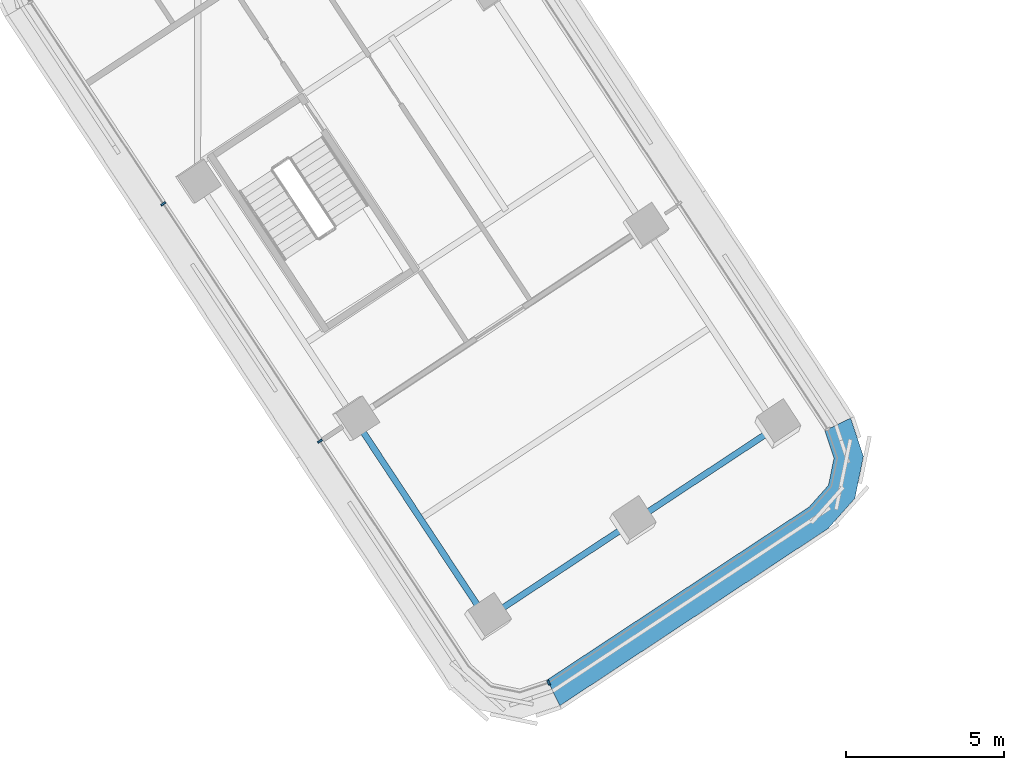
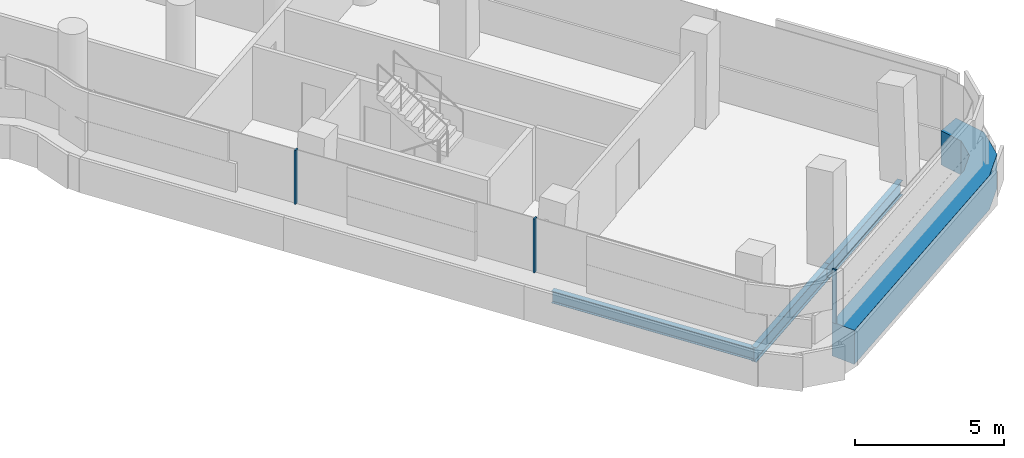
# One storey, part 3 of 35: 4 members, 3 beams, 2 elements without a shape of their own.
"""IFC4 building model written with IfcOpenShell, lengths in metres."""

import ifcopenshell
import ifcopenshell.guid

model = None  # the IFC model being written
_history = None  # IfcOwnerHistory: only IFC2X3 demands one
_inside = {}  # id of a spatial element -> (the spatial element, [elements in it])
_under = {}  # id of a project, library or spatial element -> (it, [spatial elements below it])
_declared = {}  # id of a project -> (the project, [libraries it declares])
_typed = {}  # id of a type object -> (the type object, [elements of that type])
_made_of = {}  # id of a material, layer set ... -> (it, [elements and type objects made of it])


def new_model(schema):
    """Start an empty IFC model of exactly this schema.

    Asked for "IFC4X3", IfcOpenShell would pick the latest addendum, in which some entities
    have other attributes; the version numbers below select the first issue.
    IFC2X3 requires an IfcOwnerHistory on every rooted entity: one is made here for all.
    """
    global model, _history
    if schema == "IFC4X3":
        model = ifcopenshell.file(schema_version=(4, 3, 0, 0))
    else:
        model = ifcopenshell.file(schema=schema)
    _inside.clear()
    _under.clear()
    _declared.clear()
    _typed.clear()
    _made_of.clear()
    _history = None
    if model.schema == "IFC2X3":
        org = make("IfcOrganization", Name="unknown")
        user = make(
            "IfcPersonAndOrganization",
            ThePerson=make("IfcPerson", FamilyName="unknown"),
            TheOrganization=org,
        )
        app = make(
            "IfcApplication",
            ApplicationDeveloper=org,
            Version="unknown",
            ApplicationFullName="unknown",
            ApplicationIdentifier="unknown",
        )
        _history = make(
            "IfcOwnerHistory",
            OwningUser=user,
            OwningApplication=app,
            ChangeAction="ADDED",
            CreationDate=0,
        )
    return model


def make(cls, **values):
    """One entity of the class cls with the attributes given. An attribute that is None is left unset."""
    return model.create_entity(
        cls, **{name: value for name, value in values.items() if value is not None}
    )


def rooted(cls, **values):
    """An entity with a GlobalId (a new one), such as an element, a storey or a relation."""
    return make(cls, GlobalId=ifcopenshell.guid.new(), OwnerHistory=_history, **values)


def si_unit(unit_type, name, prefix=None):
    """IfcSIUnit, for example si_unit("LENGTHUNIT", "METRE", prefix="MILLI")."""
    return make("IfcSIUnit", UnitType=unit_type, Prefix=prefix, Name=name)


def assignment(units):
    """IfcUnitAssignment: the units of a project."""
    return None if units is None else make("IfcUnitAssignment", Units=units)


def point(xyz):
    """IfcCartesianPoint."""
    return None if xyz is None else make("IfcCartesianPoint", Coordinates=xyz)


def direction(xyz):
    """IfcDirection."""
    return None if xyz is None else make("IfcDirection", DirectionRatios=xyz)


def frame(location, z_axis=None, x_axis=None):
    """IfcAxis2Placement3D, a coordinate frame: its origin and axes. An axis left out is left unset."""
    return make(
        "IfcAxis2Placement3D",
        Location=point(location),
        Axis=direction(z_axis),
        RefDirection=direction(x_axis),
    )


def frame_2d(location, x_axis=None):
    """IfcAxis2Placement2D, a coordinate frame in the plane: its origin and x axis."""
    return make(
        "IfcAxis2Placement2D", Location=point(location), RefDirection=direction(x_axis)
    )


def origin():
    """The frame at (0, 0, 0) with its axes left unset."""
    return frame((0.0, 0.0, 0.0))


def origin_2d():
    """The frame at (0, 0) in the plane with its x axis left unset."""
    return frame_2d((0.0, 0.0))


def place(relative_to, where):
    """IfcLocalPlacement: puts the frame where relative to a parent placement (None: the world)."""
    return make(
        "IfcLocalPlacement", PlacementRelTo=relative_to, RelativePlacement=where
    )


def context(
    kind, dimensions, precision=None, world=None, true_north=None, identifier=None
):
    """IfcGeometricRepresentationContext, for example the 3D "Model" context."""
    return make(
        "IfcGeometricRepresentationContext",
        ContextIdentifier=identifier,
        ContextType=kind,
        CoordinateSpaceDimension=dimensions,
        Precision=precision,
        WorldCoordinateSystem=world,
        TrueNorth=true_north,
    )


def subcontext(parent, identifier, kind, view, scale=None):
    """IfcGeometricRepresentationSubContext, for example "Body" below "Model"."""
    return make(
        "IfcGeometricRepresentationSubContext",
        ContextIdentifier=identifier,
        ContextType=kind,
        ParentContext=parent,
        TargetScale=scale,
        TargetView=view,
    )


def project(units=None, contexts=None):
    """IfcProject with its units and contexts."""
    return rooted(
        "IfcProject",
        Name="project",
        RepresentationContexts=contexts,
        UnitsInContext=assignment(units),
    )


def spatial(cls, under=None, at=None, **own):
    """A site, building, storey or space (cls), placed at a placement, below another one or the project."""
    s = rooted(cls, ObjectPlacement=at, **own)
    if under is not None:
        _under.setdefault(under.id(), (under, []))[1].append(s)
    return s


def polyline(points):
    """IfcPolyline through the points."""
    return make("IfcPolyline", Points=[point(p) for p in points])


def profile(cls, at=None, kind="AREA", **sizes):
    """A parametric profile (cls). Its sizes go by their IFC names, for example OverallWidth=200.0."""
    return make(cls, ProfileType=kind, Position=at, **sizes)


def rectangle(**sizes):
    """IfcRectangleProfileDef."""
    return profile("IfcRectangleProfileDef", **sizes)


def i_section(**sizes):
    """IfcIShapeProfileDef."""
    return profile("IfcIShapeProfileDef", **sizes)


def outline(outer, holes=None, kind="AREA"):
    """IfcArbitraryClosedProfileDef: a profile drawn as a closed curve; with holes, ...WithVoids."""
    if holes is None:
        return make("IfcArbitraryClosedProfileDef", ProfileType=kind, OuterCurve=outer)
    return make(
        "IfcArbitraryProfileDefWithVoids",
        ProfileType=kind,
        OuterCurve=outer,
        InnerCurves=holes,
    )


def extrude(swept, where, along, depth):
    """IfcExtrudedAreaSolid: the profile swept, set in the frame where, extruded along a direction by depth."""
    return make(
        "IfcExtrudedAreaSolid",
        SweptArea=swept,
        Position=where,
        ExtrudedDirection=direction(along),
        Depth=depth,
    )


def shape(context_of_items, identifier, shape_type, items):
    """IfcShapeRepresentation: the items that make up one representation, for example the "Body"."""
    return make(
        "IfcShapeRepresentation",
        ContextOfItems=context_of_items,
        RepresentationIdentifier=identifier,
        RepresentationType=shape_type,
        Items=items,
    )


def material(Name=None, Category=None):
    """IfcMaterial."""
    return make("IfcMaterial", Name=Name, Category=Category)


def layer(
    of_material, thickness, ventilated=None, Name=None, Category=None, Priority=None
):
    """IfcMaterialLayer: one layer of a wall or slab, of a material (None: an air gap)."""
    return make(
        "IfcMaterialLayer",
        Material=of_material,
        LayerThickness=thickness,
        IsVentilated=ventilated,
        Name=Name,
        Category=Category,
        Priority=Priority,
    )


def layer_set(layers, Name=None):
    """IfcMaterialLayerSet."""
    return make("IfcMaterialLayerSet", MaterialLayers=layers, LayerSetName=Name)


def material_profile(
    of_material, cross_section, Name=None, Category=None, Priority=None
):
    """IfcMaterialProfile: a cross section and its material."""
    return make(
        "IfcMaterialProfile",
        Name=Name,
        Material=of_material,
        Profile=cross_section,
        Priority=Priority,
        Category=Category,
    )


def profile_set(profiles, Name=None, composite=None):
    """IfcMaterialProfileSet."""
    return make(
        "IfcMaterialProfileSet",
        Name=Name,
        MaterialProfiles=profiles,
        CompositeProfile=composite,
    )


def made_of(thing, what):
    """Note that an element or type object is made of a material, layer set ...; save() writes the relation."""
    if what is not None:
        _made_of.setdefault(what.id(), (what, []))[1].append(thing)
    return thing


def type_object(cls, material=None, **own):
    """A type object (cls), such as IfcWallType, which elements share."""
    return made_of(rooted(cls, **own), material)


def element(
    cls,
    number,
    at=None,
    inside=None,
    cuts=None,
    type_object=None,
    material=None,
    context=None,
    identifier="Body",
    shape_type=None,
    held_by="IfcProductDefinitionShape",
    body=None,
    shapes=None,
    **own,
):
    """One element of the class cls, such as IfcWall. Its Tag is "e" and its number.

    at: its placement. inside: the storey or other place that contains it. cuts: it is an
    opening in that element (IfcRelVoidsElement). A single representation is given by context,
    identifier, shape_type and body (its items); several are given by shapes. held_by: the class
    of the entity that holds the representations. save() writes the other relations.
    """
    e = rooted(cls, Tag="e%d" % number, ObjectPlacement=at, **own)
    if body is not None:
        shapes = [shape(context, identifier, shape_type, body)]
    if shapes is not None:
        e.Representation = make(held_by, Representations=shapes)
    if inside is not None:
        _inside.setdefault(inside.id(), (inside, []))[1].append(e)
    if cuts is not None:
        rooted(
            "IfcRelVoidsElement", RelatingBuildingElement=cuts, RelatedOpeningElement=e
        )
    if type_object is not None:
        _typed.setdefault(type_object.id(), (type_object, []))[1].append(e)
    return made_of(e, material)


def aggregate(whole, parts):
    """IfcRelAggregates: a whole, such as a stair, and the parts it consists of."""
    return rooted("IfcRelAggregates", RelatingObject=whole, RelatedObjects=parts)


def save(model, path):
    """Write the relations noted so far, then the file.

    IfcRelAggregates (storeys below a building ...), IfcRelContainedInSpatialStructure (elements
    in a storey), IfcRelDefinesByType, IfcRelAssociatesMaterial and IfcRelDeclares: one each for
    every whole, place, type object, material and project.
    """
    for whole, parts in _under.values():
        aggregate(whole, parts)
    for where, things in _inside.values():
        rooted(
            "IfcRelContainedInSpatialStructure",
            RelatedElements=things,
            RelatingStructure=where,
        )
    for kind, things in _typed.values():
        rooted("IfcRelDefinesByType", RelatedObjects=things, RelatingType=kind)
    for what, things in _made_of.values():
        rooted("IfcRelAssociatesMaterial", RelatedObjects=things, RelatingMaterial=what)
    for by, libraries in _declared.values():
        rooted("IfcRelDeclares", RelatingContext=by, RelatedDefinitions=libraries)
    model.write(path)


model = new_model("IFC4")

# Units and contexts
model_context = context("Model", 3, precision=1e-05, world=origin(), true_north=direction((0.0, 1.0)))
body_context = subcontext(model_context, "Body", "Model", "MODEL_VIEW")
ifc_project = project(units=[si_unit("LENGTHUNIT", "METRE"), si_unit("AREAUNIT", "SQUARE_METRE"), si_unit("VOLUMEUNIT", "CUBIC_METRE"), si_unit("PLANEANGLEUNIT", "RADIAN"), si_unit("MASSUNIT", "GRAM", prefix="KILO")], contexts=[model_context])

# Site, building, storey
site_placement = place(None, origin())
site = spatial("IfcSite", under=ifc_project, at=site_placement, CompositionType="ELEMENT")
building_placement = place(site_placement, origin())
building = spatial("IfcBuilding", under=site, at=building_placement, Name="Tamarind Cross Interchange Tower", CompositionType="ELEMENT")
storey_placement = place(building_placement, frame((0.0, 0.0, 155.5)))
storey = spatial("IfcBuildingStorey", under=building, at=storey_placement, Name="L38", CompositionType="ELEMENT", Elevation=155.5)

# Beams
ifc_material_1 = material(Name="Steel Q355B", Category="steel")
ifc_material_profile_1 = material_profile(ifc_material_1, i_section(OverallWidth=0.198974609375, OverallDepth=0.49609375, WebThickness=0.009033203125, FlangeThickness=0.013916015625, FilletRadius=0.012939453125, at=origin_2d()), Name="HN 496x199x9x14")
ifc_profile_set_1 = profile_set([ifc_material_profile_1], Name="Steel Q355B")
beam_type_1 = type_object("IfcBeamType", Name="Composite beam HN 496x199x9x14 Q355B", PredefinedType="BEAM", material=ifc_profile_set_1)
beam_placement = place(storey_placement, frame((9.111328125, -45.78271484375, -0.387939453125), z_axis=(-0.550972095029, 0.83452366683, 0.0), x_axis=(-0.83452366683, -0.550972095029, 0.0)))
element("IfcBeam", 1, at=beam_placement, inside=storey, type_object=beam_type_1, Name="Beam S-edgeem5", PredefinedType="BEAM", context=body_context, shape_type="SweptSolid", body=[
    extrude(i_section(OverallWidth=0.198974609375, OverallDepth=0.49609375, WebThickness=0.009033203125, FlangeThickness=0.013916015625, FilletRadius=0.012939453125, at=origin_2d()), origin(), (0.0, 0.0, 1.0), 7.5673828125),
])
ifc_material_profile_2 = material_profile(ifc_material_1, i_section(OverallWidth=0.199951171875, OverallDepth=0.60009765625, WebThickness=0.010986328125, FlangeThickness=0.01708984375, FilletRadius=0.012939453125, at=origin_2d()), Name="HN 600x200x11x17")
ifc_profile_set_2 = profile_set([ifc_material_profile_2], Name="Steel Q355B")
beam_type_2 = type_object("IfcBeamType", Name="Composite beam HN 600x200x11x17 Q355B", PredefinedType="BEAM", material=ifc_profile_set_2)
for number, where, z_axis, x_axis, name in (
    (2, (9.111328125, -45.78271484375, -0.43994140625), (0.834527766716, 0.550965885132, 0.0), (-0.550965885132, 0.834527766716, 0.0), "Beam S-tip0"),
    (3, (13.701171875, -42.75244140625, -0.43994140625), (0.834507356387, 0.550996798662, 0.0), (-0.550996798662, 0.834507356387, 0.0), "Beam S-tip1"),
):
    element("IfcBeam", number, at=place(storey_placement, frame(where, z_axis=z_axis, x_axis=x_axis)), inside=storey, type_object=beam_type_2, Name=name, PredefinedType="BEAM", context=body_context, shape_type="SweptSolid", body=[
        extrude(i_section(OverallWidth=0.199951171875, OverallDepth=0.60009765625, WebThickness=0.010986328125, FlangeThickness=0.01708984375, FilletRadius=0.012939453125, at=origin_2d()), origin(), (0.0, 0.0, 1.0), 5.5),
    ])

# Curtain wall, member
ifc_material_2 = material(Name="Aluminium 6063-T6", Category="aluminium")
ifc_layer = layer(ifc_material_2, 0.159912109375)
ifc_layer_set = layer_set([ifc_layer], Name="Aluminium 6063-T6")
curtain_wall_type = type_object("IfcCurtainWallType", Name="Office curtain wall, 9.0 m bays", PredefinedType="NOTDEFINED", material=ifc_layer_set)
curtain_wall_1_placement = place(storey_placement, origin())
curtain_wall_1 = element("IfcCurtainWall", 4, at=curtain_wall_1_placement, inside=storey, type_object=curtain_wall_type, Name="CWS-L38-08", PredefinedType="NOTDEFINED")
ifc_material_3 = material(Name="Aluminium and insulated spandrel panel", Category="aluminium")
member_type_1 = type_object("IfcMemberType", Name="Floor-edge blade transom", PredefinedType="USERDEFINED", material=ifc_material_3)
member_1_placement = place(storey_placement, origin())
member_1 = element("IfcMember", 5, at=member_1_placement, type_object=member_type_1, Name="CWT-L38-08", ObjectType="TRANSOM", PredefinedType="USERDEFINED", context=body_context, shape_type="SweptSolid", body=[
    extrude(outline(polyline([(11.033935546875, -47.715576171875), (19.313232421875, -42.24951171875), (19.920654296875, -41.564697265625), (20.095947265625, -40.707763671875), (19.806396484375, -39.839111328125), (20.623046875, -39.443115234375), (21.026123046875, -40.652099609375), (20.75390625, -41.9814453125), (19.907958984375, -42.935302734375), (11.430908203125, -48.531982421875), (11.033935546875, -47.715576171875)])), origin(), (0.0, 0.0, 1.0), 1.39990234375),
])

# Curtain wall, members
curtain_wall_2_placement = place(storey_placement, origin())
curtain_wall_2 = element("IfcCurtainWall", 6, at=curtain_wall_2_placement, inside=storey, type_object=curtain_wall_type, Name="CWS-L38-07", PredefinedType="NOTDEFINED")
ifc_material_profile_3 = material_profile(ifc_material_2, rectangle(XDim=0.06005859375, YDim=0.159912109375, at=origin_2d()), Name="Mullion CW1")
ifc_profile_set_3 = profile_set([ifc_material_profile_3], Name="Aluminium 6063-T6")
member_type_2 = type_object("IfcMemberType", Name="Mullion CW1", PredefinedType="MULLION", material=ifc_profile_set_3)
member_2_placement = place(storey_placement, frame((-1.10107421875, -32.674072265625, 1.39990234375), z_axis=(0.0, 0.0, 1.0), x_axis=(0.550970225759, -0.834524900963, 0.0)))
member_2 = element("IfcMember", 7, at=member_2_placement, type_object=member_type_2, Name="CWM-L38-07-01", PredefinedType="MULLION", context=body_context, shape_type="SweptSolid", body=[
    extrude(rectangle(XDim=0.06005859375, YDim=0.159912109375, at=origin_2d()), origin(), (0.0, 0.0, 1.0), 2.210205078125),
])
member_3_placement = place(storey_placement, frame((3.849853515625, -40.173095703125, 1.39990234375), z_axis=(0.0, 0.0, 1.0), x_axis=(0.550970225759, -0.834524900963, 0.0)))
member_3 = element("IfcMember", 8, at=member_3_placement, type_object=member_type_2, Name="CWM-L38-07-02", PredefinedType="MULLION", context=body_context, shape_type="SweptSolid", body=[
    extrude(rectangle(XDim=0.06005859375, YDim=0.159912109375, at=origin_2d()), origin(), (0.0, 0.0, 1.0), 2.210205078125),
])
aggregate(curtain_wall_2, [member_2, member_3])

# Member
member_4_placement = place(storey_placement, frame((11.078125, -47.806396484375, 1.39990234375), z_axis=(0.0, 0.0, 1.0), x_axis=(0.899301470343, 0.437329241463, 0.0)))
member_4 = element("IfcMember", 9, at=member_4_placement, type_object=member_type_2, Name="CWM-L38-08-00", PredefinedType="MULLION", context=body_context, shape_type="SweptSolid", body=[
    extrude(rectangle(XDim=0.06005859375, YDim=0.159912109375, at=origin_2d()), origin(), (0.0, 0.0, 1.0), 2.210205078125),
])

aggregate(curtain_wall_1, [member_4, member_1])

save(model, "model.ifc")
